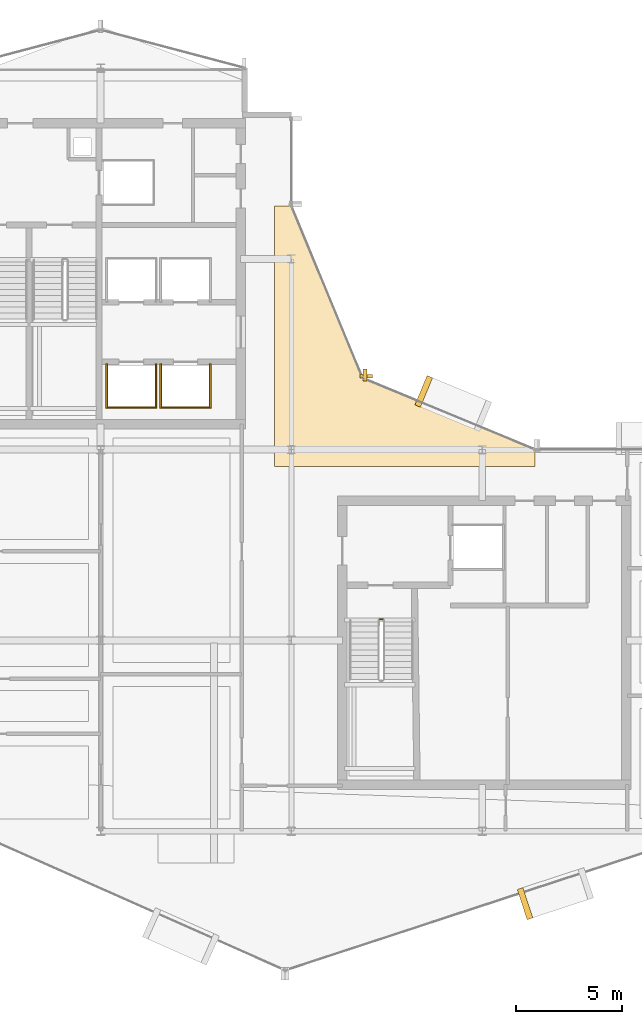
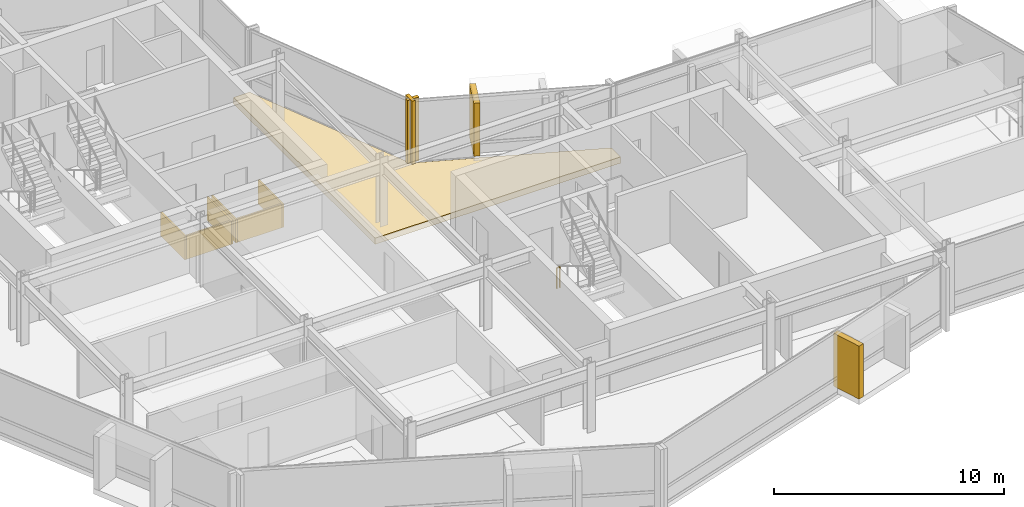
# One storey, part 25 of 27: 11 coverings, 1 railing.
"""IFC4 building model written with IfcOpenShell, lengths in metres."""

from ifc_helpers import new_model, si_unit, direction, frame, origin, origin_2d, place, context, subcontext, project, spatial, polyline, rectangle, circle, outline, extrude, material, layer, layer_set, type_object, element, save


model = new_model("IFC4")

# Units and contexts
model_context = context("Model", 3, precision=1e-05, world=origin(), true_north=direction((0.0, 1.0)))
body_context = subcontext(model_context, "Body", "Model", "MODEL_VIEW")
ifc_project = project(units=[si_unit("LENGTHUNIT", "METRE"), si_unit("AREAUNIT", "SQUARE_METRE"), si_unit("VOLUMEUNIT", "CUBIC_METRE"), si_unit("PLANEANGLEUNIT", "RADIAN"), si_unit("MASSUNIT", "GRAM", prefix="KILO")], contexts=[model_context])

# Site, building, storey
site_placement = place(None, origin())
site = spatial("IfcSite", under=ifc_project, at=site_placement, CompositionType="ELEMENT")
building_placement = place(site_placement, origin())
building = spatial("IfcBuilding", under=site, at=building_placement, Name="Solvaryn Broadcast Tower", CompositionType="ELEMENT")
storey_placement = place(building_placement, frame((0.0, 0.0, 232.10009765625)))
storey = spatial("IfcBuildingStorey", under=building, at=storey_placement, Name="L58", CompositionType="ELEMENT", Elevation=232.10009765625)

# Coverings
ifc_material_1 = material(Name="Fire-Rated Gypsum Shaftwall Liner", Category="concrete")
ifc_layer_1 = layer(ifc_material_1, 0.080078125)
ifc_layer_set_1 = layer_set([ifc_layer_1], Name="CV-SHAFT-LINER")
covering_type_1 = type_object("IfcCoveringType", Name="CV-SHAFT-LINER", PredefinedType="CLADDING", material=ifc_layer_set_1)
covering_1_placement = place(storey_placement, frame((19.449951171875, 28.985107421875, 0.0), z_axis=(0.0, 0.0, 1.0), x_axis=(1.0, 0.0, 0.0)))
element("IfcCovering", 1, at=covering_1_placement, inside=storey, type_object=covering_type_1, Name="L58 PH1 Hoistway Shaft Liner South", PredefinedType="CLADDING", context=body_context, shape_type="SweptSolid", body=[
    extrude(rectangle(XDim=2.409912109375, YDim=0.080078125, at=origin_2d()), origin(), (0.0, 0.0, 1.0), 1.25),
])
for number, where, z_axis, x_axis, name in (
    (2, (20.614990234375, 30.0, 0.0), (0.0, 0.0, 1.0), (1.0, 0.0, 0.0), "L58 PH1 Hoistway Shaft Liner East"),
    (3, (18.284912109375, 30.0, 0.0), (0.0, 0.0, 1.0), (1.0, 0.0, 0.0), "L58 PH1 Hoistway Shaft Liner West"),
):
    element("IfcCovering", number, at=place(storey_placement, frame(where, z_axis=z_axis, x_axis=x_axis)), inside=storey, type_object=covering_type_1, Name=name, PredefinedType="CLADDING", context=body_context, shape_type="SweptSolid", body=[
        extrude(rectangle(XDim=0.080078125, YDim=2.110107421875, at=origin_2d()), origin(), (0.0, 0.0, 1.0), 1.25),
    ])
covering_2_placement = place(storey_placement, frame((22.0, 28.985107421875, 0.0), z_axis=(0.0, 0.0, 1.0), x_axis=(1.0, 0.0, 0.0)))
element("IfcCovering", 4, at=covering_2_placement, inside=storey, type_object=covering_type_1, Name="L58 PH2 Hoistway Shaft Liner South", PredefinedType="CLADDING", context=body_context, shape_type="SweptSolid", body=[
    extrude(rectangle(XDim=2.409912109375, YDim=0.080078125, at=origin_2d()), origin(), (0.0, 0.0, 1.0), 1.25),
])
for number, where, z_axis, x_axis, name in (
    (5, (23.1650390625, 30.0, 0.0), (0.0, 0.0, 1.0), (1.0, 0.0, 0.0), "L58 PH2 Hoistway Shaft Liner East"),
    (6, (20.8349609375, 30.0, 0.0), (0.0, 0.0, 1.0), (1.0, 0.0, 0.0), "L58 PH2 Hoistway Shaft Liner West"),
):
    element("IfcCovering", number, at=place(storey_placement, frame(where, z_axis=z_axis, x_axis=x_axis)), inside=storey, type_object=covering_type_1, Name=name, PredefinedType="CLADDING", context=body_context, shape_type="SweptSolid", body=[
        extrude(rectangle(XDim=0.080078125, YDim=2.110107421875, at=origin_2d()), origin(), (0.0, 0.0, 1.0), 1.25),
    ])
ifc_material_2 = material(Name="Glazed Architectural Terracotta Rainscreen Cladding", Category="masonry")
ifc_layer_2 = layer(ifc_material_2, 0.280029296875)
ifc_layer_set_2 = layer_set([ifc_layer_2], Name="CV-TC-CLAD")
covering_type_2 = type_object("IfcCoveringType", Name="CV-TC-CLAD", PredefinedType="CLADDING", material=ifc_layer_set_2)
for number, where, z_axis, x_axis, name in (
    (7, (38.01904296875, 5.584716796875, 0.27978515625), (0.0, 0.0, 1.0), (0.950244253402, 0.311505792684, 0.0), "L58 Projecting Stone Window Box Cheek 4-1"),
    (8, (33.241943359375, 29.751953125, 0.27978515625), (0.0, 0.0, 1.0), (-0.923879532511, 0.382683432365, 0.0), "L58 Projecting Stone Window Box Cheek 5-2"),
):
    element("IfcCovering", number, at=place(storey_placement, frame(where, z_axis=z_axis, x_axis=x_axis)), inside=storey, type_object=covering_type_2, Name=name, PredefinedType="CLADDING", context=body_context, shape_type="SweptSolid", body=[
        extrude(rectangle(XDim=0.280029296875, YDim=1.5, at=origin_2d()), origin(), (0.0, 0.0, 1.0), 2.81005859375),
    ])
ifc_material_3 = material(Name="Extruded Architectural Terracotta Fin", Category="masonry")
ifc_layer_3 = layer(ifc_material_3, 0.179931640625)
ifc_layer_set_3 = layer_set([ifc_layer_3], Name="CV-TC-FIN")
covering_type_3 = type_object("IfcCoveringType", Name="CV-TC-FIN", PredefinedType="USERDEFINED", material=ifc_layer_set_3)
covering_3_placement = place(storey_placement, frame((30.464599609375, 30.52294921875, -0.000244140625), z_axis=(0.0, 0.0, 1.0), x_axis=(1.0, 0.0, 0.0)))
element("IfcCovering", 9, at=covering_3_placement, inside=storey, type_object=covering_type_3, Name="L58 Terracotta Vertical Fin FIN-L58-CN1-M01", ObjectType="FIN", PredefinedType="USERDEFINED", context=body_context, shape_type="SweptSolid", body=[
    extrude(rectangle(XDim=0.179931640625, YDim=0.580078125, at=origin_2d()), origin(), (0.0, 0.0, 1.0), 3.3701171875),
])
covering_4_placement = place(storey_placement, frame((30.52294921875, 30.464599609375, -0.000244140625), z_axis=(0.0, 0.0, 1.0), x_axis=(1.0, 0.0, 0.0)))
element("IfcCovering", 10, at=covering_4_placement, inside=storey, type_object=covering_type_3, Name="L58 Terracotta Vertical Fin FIN-L58-CN2-M00", ObjectType="FIN", PredefinedType="USERDEFINED", context=body_context, shape_type="SweptSolid", body=[
    extrude(rectangle(XDim=0.580078125, YDim=0.179931640625, at=origin_2d()), origin(), (0.0, 0.0, 1.0), 3.3701171875),
])
ifc_material_4 = material(Name="Sculpted Architectural Terracotta Wave Fascia", Category="masonry")
ifc_layer_4 = layer(ifc_material_4, 0.340087890625)
ifc_layer_set_4 = layer_set([ifc_layer_4], Name="CV-WAVE-TRAY")
covering_type_4 = type_object("IfcCoveringType", Name="CV-WAVE-TRAY", PredefinedType="CLADDING", material=ifc_layer_set_4)
covering_5_placement = place(storey_placement, frame((0.0, 0.0, -0.300048828125)))
element("IfcCovering", 11, at=covering_5_placement, inside=storey, type_object=covering_type_4, Name="L58 Concave Canyon Floor Apron", PredefinedType="CLADDING", context=body_context, shape_type="SweptSolid", body=[
    extrude(outline(polyline([(26.199951171875, 26.199951171875), (38.5, 26.199951171875), (38.5, 27.0), (30.367919921875, 30.367919921875), (27.0, 38.5), (26.199951171875, 38.5), (26.199951171875, 26.199951171875)])), origin(), (0.0, 0.0, 1.0), 0.329833984375),
])

# Railing
ifc_material_5 = material(Name="Painted Steel Stair Well Guard", Category="steel")
railing_type = type_object("IfcRailingType", Name="RL-STAIR-GUARD", PredefinedType="BALUSTRADE", material=ifc_material_5)
railing_placement = place(storey_placement, frame((31.159912109375, 19.010009765625, 0.0)))
element("IfcRailing", 12, at=railing_placement, inside=storey, type_object=railing_type, Name="L58 ST3 stair guard 4", PredefinedType="BALUSTRADE", context=body_context, shape_type="SweptSolid", body=[
    extrude(circle(Radius=0.02392578125, at=origin_2d()), frame((0.0, 0.0, 1.076171875), z_axis=(1.0, 0.0, 0.0), x_axis=(0.0, 1.0, 0.0)), (0.0, 0.0, 1.0), 0.150146484375),
    extrude(circle(Radius=0.02099609375, at=origin_2d()), origin(), (0.0, 0.0, 1.0), 1.052001953125),
    extrude(circle(Radius=0.02099609375, at=origin_2d()), frame((0.150146484375, 0.0, 0.0)), (0.0, 0.0, 1.0), 1.052001953125),
])

save(model, "model.ifc")
